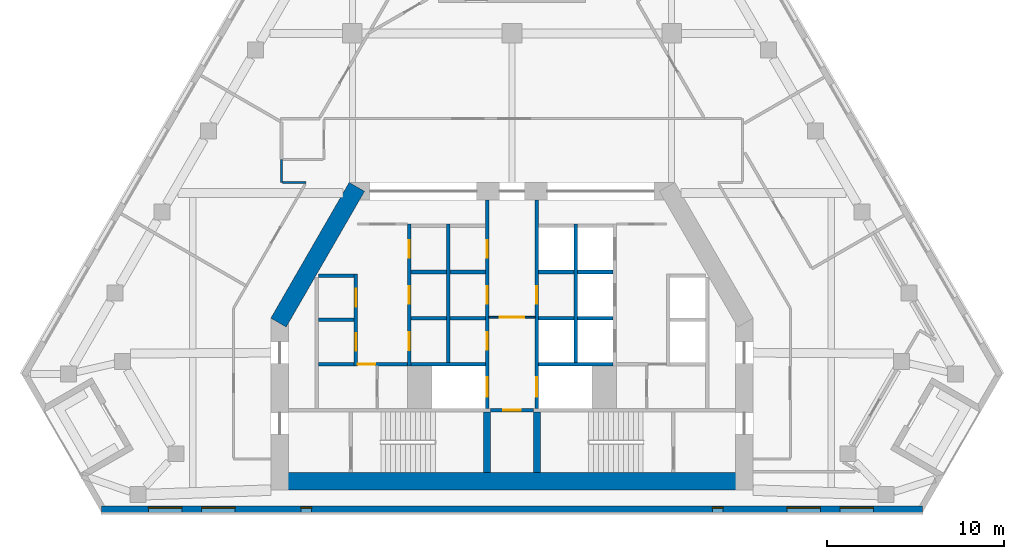
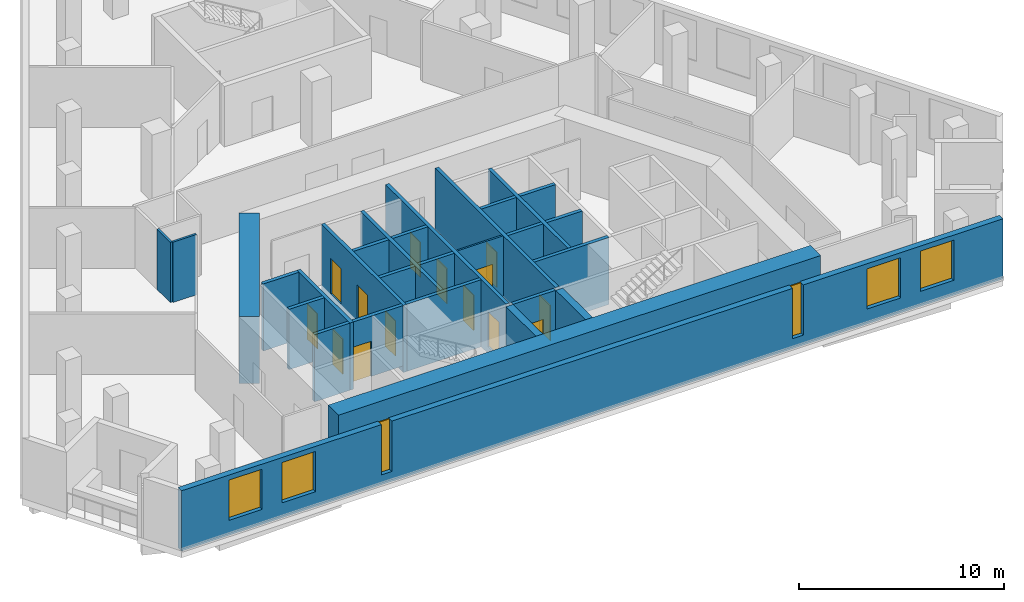
# One storey, part 4 of 9: 29 walls, 14 doors, 6 windows, 20 openings.
"""IFC4 building model written with IfcOpenShell, lengths in metres."""

from ifc_helpers import new_model, si_unit, direction, frame, frame_2d, origin, place, context, subcontext, project, spatial, rectangle, extrude, material, layer, layer_set, type_object, element, fill, save


model = new_model("IFC4")

# Units and contexts
model_context = context("Model", 3, precision=1e-05, world=origin(), true_north=direction((0.0, 1.0)))
body_context = subcontext(model_context, "Body", "Model", "MODEL_VIEW")
ifc_project = project(units=[si_unit("LENGTHUNIT", "METRE"), si_unit("AREAUNIT", "SQUARE_METRE"), si_unit("VOLUMEUNIT", "CUBIC_METRE"), si_unit("PLANEANGLEUNIT", "RADIAN"), si_unit("MASSUNIT", "GRAM", prefix="KILO")], contexts=[model_context])

# Site, building, storey
site_placement = place(None, origin())
site = spatial("IfcSite", under=ifc_project, at=site_placement, CompositionType="ELEMENT")
building_placement = place(site_placement, origin())
building = spatial("IfcBuilding", under=site, at=building_placement, Name="Fogline Exchange Tower", CompositionType="ELEMENT")
storey_placement = place(building_placement, frame((0.0, 0.0, 198.10009765625)))
storey = spatial("IfcBuildingStorey", under=building, at=storey_placement, Name="L44", CompositionType="ELEMENT", Elevation=198.10009765625)

# Wall, opening, door
ifc_material_1 = material(Name="Blockwork partition", Category="masonry")
ifc_layer_1 = layer(ifc_material_1, 0.10009765625)
ifc_layer_set_1 = layer_set([ifc_layer_1], Name="CW10")
wall_type_1 = type_object("IfcWallType", Name="CW10", PredefinedType="PARTITIONING", material=ifc_layer_set_1)
wall_1_placement = place(storey_placement, frame((-1.300048828125, 11.0, 0.0), z_axis=(0.0, 0.0, 1.0), x_axis=(1.0, 0.0, 0.0)))
wall_1 = element("IfcWall", 1, at=wall_1_placement, inside=storey, type_object=wall_type_1, Name="Lift lobby partition", PredefinedType="PARTITIONING", context=body_context, shape_type="SweptSolid", body=[
    extrude(rectangle(XDim=2.60009765625, YDim=0.10009765625, at=frame_2d((1.300048828125, 0.0))), origin(), (0.0, 0.0, 1.0), 3.599853515625),
])
opening_1_placement = place(wall_1_placement, frame((0.60009765625, 0.0, 0.0)))
opening_1 = element("IfcOpeningElement", 2, at=opening_1_placement, cuts=wall_1, Name="Opening T14-C023", PredefinedType="OPENING", context=body_context, shape_type="SweptSolid", body=[
    extrude(rectangle(XDim=1.39990234375, YDim=2.10009765625, at=frame_2d((0.699951171875, 1.050048828125))), frame((0.0, 0.06005859375, 0.0), z_axis=(0.0, -1.0, 0.0), x_axis=(1.0, 0.0, 0.0)), (0.0, 0.0, 1.0), 0.1201171875),
])
ifc_material_2 = material(Name="Steel and timber fire door", Category="steel")
door_type_1 = type_object("IfcDoorType", Name="D-LB1", OperationType="DOUBLE_DOOR_SINGLE_SWING", PredefinedType="DOOR", material=ifc_material_2)
door_1_placement = place(opening_1_placement, frame((1.39990234375, 0.0, 0.0), z_axis=(0.0, 0.0, 1.0), x_axis=(-1.0, 0.0, 0.0)))
door_1 = element("IfcDoor", 3, at=door_1_placement, inside=storey, type_object=door_type_1, Name="Door to firefighting lift lobby", OperationType="DOUBLE_DOOR_SINGLE_SWING", OverallHeight=2.10009765625, OverallWidth=1.39990234375, PredefinedType="DOOR", context=body_context, shape_type="SweptSolid", body=[
    extrude(rectangle(XDim=1.39990234375, YDim=2.10009765625, at=frame_2d((0.699951171875, 1.050048828125))), frame((0.0, 0.02490234375, 0.0), z_axis=(0.0, -1.0, 0.0), x_axis=(1.0, 0.0, 0.0)), (0.0, 0.0, 1.0), 0.050048828125),
])
fill(opening_1, door_1)

# Walls
ifc_material_3 = material(Name="Concrete C40", Category="concrete")
ifc_layer_2 = layer(ifc_material_3, 0.199951171875)
ifc_layer_set_2 = layer_set([ifc_layer_2], Name="CW20")
wall_type_2 = type_object("IfcWallType", Name="CW20", PredefinedType="SOLIDWALL", material=ifc_layer_set_2)
for number, where, z_axis, x_axis, name in (
    (4, (-10.89990234375, 10.85009765625, 0.0), (0.0, 0.0, 1.0), (1.0, 0.0, 0.0), "Service room wall"),
    (5, (-5.699951171875, 10.949951171875, 0.0), (0.0, 0.0, 1.0), (1.0, 0.0, 0.0), "Service room wall"),
    (6, (-5.699951171875, 13.550048828125, 0.0), (0.0, 0.0, 1.0), (1.0, 0.0, 0.0), "Service room wall"),
    (7, (-3.5, 10.949951171875, 0.0), (0.0, 0.0, 1.0), (1.0, 0.0, 0.0), "Service room wall"),
    (8, (-3.5, 13.550048828125, 0.0), (0.0, 0.0, 1.0), (1.0, 0.0, 0.0), "Service room wall"),
):
    element("IfcWall", number, at=place(storey_placement, frame(where, z_axis=z_axis, x_axis=x_axis)), inside=storey, type_object=wall_type_2, Name=name, PredefinedType="SOLIDWALL", context=body_context, shape_type="SweptSolid", body=[
        extrude(rectangle(XDim=2.0, YDim=0.199951171875, at=frame_2d((1.0, 0.0))), origin(), (0.0, 0.0, 1.0), 3.599853515625),
    ])

# Wall, opening, door
wall_2_placement = place(storey_placement, frame((-8.699951171875, 8.35009765625, 0.0), z_axis=(0.0, 0.0, 1.0), x_axis=(1.0, 0.0, 0.0)))
wall_2 = element("IfcWall", 9, at=wall_2_placement, inside=storey, type_object=wall_type_2, Name="WC wall", PredefinedType="SOLIDWALL", context=body_context, shape_type="SweptSolid", body=[
    extrude(rectangle(XDim=2.800048828125, YDim=0.199951171875, at=frame_2d((1.39990234375, 0.0))), origin(), (0.0, 0.0, 1.0), 3.599853515625),
])
opening_2_placement = place(wall_2_placement, origin())
opening_2 = element("IfcOpeningElement", 10, at=opening_2_placement, cuts=wall_2, Name="Opening T14-C012", PredefinedType="OPENING", context=body_context, shape_type="SweptSolid", body=[
    extrude(rectangle(XDim=1.0, YDim=2.10009765625, at=frame_2d((0.5, 1.050048828125))), frame((0.0, 0.10986328125, 0.0), z_axis=(0.0, -1.0, 0.0), x_axis=(1.0, 0.0, 0.0)), (0.0, 0.0, 1.0), 0.219970703125),
])
door_type_2 = type_object("IfcDoorType", Name="D-WC1", OperationType="SINGLE_SWING_LEFT", PredefinedType="DOOR", material=ifc_material_2)
door_2_placement = place(opening_2_placement, frame((1.0, 0.0, 0.0), z_axis=(0.0, 0.0, 1.0), x_axis=(-1.0, 0.0, 0.0)))
door_2 = element("IfcDoor", 11, at=door_2_placement, inside=storey, type_object=door_type_2, Name="Door to Men's WC", OperationType="SINGLE_SWING_LEFT", OverallHeight=2.10009765625, OverallWidth=1.0, PredefinedType="DOOR", context=body_context, shape_type="SweptSolid", body=[
    extrude(rectangle(XDim=1.0, YDim=2.10009765625, at=frame_2d((0.5, 1.050048828125))), frame((0.0, 0.02490234375, 0.0), z_axis=(0.0, -1.0, 0.0), x_axis=(1.0, 0.0, 0.0)), (0.0, 0.0, 1.0), 0.050048828125),
])
fill(opening_2, door_2)

ifc_layer_3 = layer(ifc_material_3, 0.199951171875)
ifc_layer_set_3 = layer_set([ifc_layer_3], Name="CW20R")
wall_type_3 = type_object("IfcWallType", Name="CW20R", PredefinedType="SOLIDWALL", material=ifc_layer_set_3)
wall_3_placement = place(storey_placement, frame((-1.199951171875, 5.75, -0.400146484375), z_axis=(0.0, 0.0, 1.0), x_axis=(1.0, 0.0, 0.0)))
wall_3 = element("IfcWall", 12, at=wall_3_placement, inside=storey, type_object=wall_type_3, Name="Stair enclosure wall", PredefinedType="SOLIDWALL", context=body_context, shape_type="SweptSolid", body=[
    extrude(rectangle(XDim=2.39990234375, YDim=0.199951171875, at=frame_2d((1.199951171875, 0.0))), origin(), (0.0, 0.0, 1.0), 4.0),
])
opening_3_placement = place(wall_3_placement, frame((0.699951171875, 0.0, 0.39990234375)))
opening_3 = element("IfcOpeningElement", 13, at=opening_3_placement, cuts=wall_3, Name="Opening T14-C010", PredefinedType="OPENING", context=body_context, shape_type="SweptSolid", body=[
    extrude(rectangle(XDim=1.0, YDim=2.10009765625, at=frame_2d((0.5, 1.050048828125))), frame((0.0, 0.10986328125, 0.0), z_axis=(0.0, -1.0, 0.0), x_axis=(1.0, 0.0, 0.0)), (0.0, 0.0, 1.0), 0.219970703125),
])
door_type_3 = type_object("IfcDoorType", Name="D-RM1", OperationType="SINGLE_SWING_LEFT", PredefinedType="DOOR", material=ifc_material_2)
door_3_placement = place(opening_3_placement, frame((1.0, 0.0, 0.0), z_axis=(0.0, 0.0, 1.0), x_axis=(-1.0, 0.0, 0.0)))
door_3 = element("IfcDoor", 14, at=door_3_placement, inside=storey, type_object=door_type_3, Name="Door to Library Store", OperationType="SINGLE_SWING_RIGHT", OverallHeight=2.10009765625, OverallWidth=1.0, PredefinedType="DOOR", context=body_context, shape_type="SweptSolid", body=[
    extrude(rectangle(XDim=1.0, YDim=2.10009765625, at=frame_2d((0.5, 1.050048828125))), frame((0.0, 0.02490234375, 0.0), z_axis=(0.0, -1.0, 0.0), x_axis=(1.0, 0.0, 0.0)), (0.0, 0.0, 1.0), 0.050048828125),
])
fill(opening_3, door_3)

# Wall, openings, doors
ifc_layer_4 = layer(ifc_material_3, 0.199951171875)
ifc_layer_set_4 = layer_set([ifc_layer_4], Name="CW20S")
wall_type_4 = type_object("IfcWallType", Name="CW20S", PredefinedType="SOLIDWALL", material=ifc_layer_set_4)
wall_4_placement = place(storey_placement, frame((-8.800048828125, 8.25, -0.400146484375), z_axis=(0.0, 0.0, 1.0), x_axis=(0.0, 1.0, 0.0)))
wall_4 = element("IfcWall", 15, at=wall_4_placement, inside=storey, type_object=wall_type_4, Name="Lift shaft wall", PredefinedType="SOLIDWALL", context=body_context, shape_type="SweptSolid", body=[
    extrude(rectangle(XDim=5.199951171875, YDim=0.199951171875, at=frame_2d((2.60009765625, 0.0))), origin(), (0.0, 0.0, 1.0), 4.0),
])
opening_4_placement = place(wall_4_placement, frame((0.85009765625, 0.0, 0.39990234375)))
opening_4 = element("IfcOpeningElement", 16, at=opening_4_placement, cuts=wall_4, Name="Opening T14-C001", PredefinedType="OPENING", context=body_context, shape_type="SweptSolid", body=[
    extrude(rectangle(XDim=1.0, YDim=2.10009765625, at=frame_2d((0.5, 1.050048828125))), frame((0.0, 0.10986328125, 0.0), z_axis=(0.0, -1.0, 0.0), x_axis=(1.0, 0.0, 0.0)), (0.0, 0.0, 1.0), 0.219970703125),
])
opening_5_placement = place(wall_4_placement, frame((3.35009765625, 0.0, 0.39990234375)))
opening_5 = element("IfcOpeningElement", 17, at=opening_5_placement, cuts=wall_4, Name="Opening T14-C002", PredefinedType="OPENING", context=body_context, shape_type="SweptSolid", body=[
    extrude(rectangle(XDim=1.0, YDim=2.10009765625, at=frame_2d((0.5, 1.050048828125))), frame((0.0, 0.10986328125, 0.0), z_axis=(0.0, -1.0, 0.0), x_axis=(1.0, 0.0, 0.0)), (0.0, 0.0, 1.0), 0.219970703125),
])
door_4_placement = place(opening_4_placement, origin())
door_4 = element("IfcDoor", 18, at=door_4_placement, inside=storey, type_object=door_type_3, Name="Door to Riser Room", OperationType="SINGLE_SWING_RIGHT", OverallHeight=2.10009765625, OverallWidth=1.0, PredefinedType="DOOR", context=body_context, shape_type="SweptSolid", body=[
    extrude(rectangle(XDim=1.0, YDim=2.10009765625, at=frame_2d((0.5, 1.050048828125))), frame((0.0, 0.02490234375, 0.0), z_axis=(0.0, -1.0, 0.0), x_axis=(1.0, 0.0, 0.0)), (0.0, 0.0, 1.0), 0.050048828125),
])
fill(opening_4, door_4)
door_5_placement = place(opening_5_placement, origin())
door_5 = element("IfcDoor", 19, at=door_5_placement, inside=storey, type_object=door_type_3, Name="Door to Plant Room", OperationType="SINGLE_SWING_RIGHT", OverallHeight=2.10009765625, OverallWidth=1.0, PredefinedType="DOOR", context=body_context, shape_type="SweptSolid", body=[
    extrude(rectangle(XDim=1.0, YDim=2.10009765625, at=frame_2d((0.5, 1.050048828125))), frame((0.0, 0.02490234375, 0.0), z_axis=(0.0, -1.0, 0.0), x_axis=(1.0, 0.0, 0.0)), (0.0, 0.0, 1.0), 0.050048828125),
])
fill(opening_5, door_5)

wall_5_placement = place(storey_placement, frame((-5.800048828125, 8.25, -0.400146484375), z_axis=(0.0, 0.0, 1.0), x_axis=(0.0, 1.0, 0.0)))
wall_5 = element("IfcWall", 20, at=wall_5_placement, inside=storey, type_object=wall_type_4, Name="Lift shaft wall", PredefinedType="SOLIDWALL", context=body_context, shape_type="SweptSolid", body=[
    extrude(rectangle(XDim=8.0, YDim=0.199951171875, at=frame_2d((4.0, 0.0))), origin(), (0.0, 0.0, 1.0), 4.0),
])
opening_6_placement = place(wall_5_placement, frame((0.89990234375, 0.0, 0.39990234375)))
opening_6 = element("IfcOpeningElement", 21, at=opening_6_placement, cuts=wall_5, Name="Opening T14-C003", PredefinedType="OPENING", context=body_context, shape_type="SweptSolid", body=[
    extrude(rectangle(XDim=1.0, YDim=2.10009765625, at=frame_2d((0.5, 1.050048828125))), frame((0.0, 0.10986328125, 0.0), z_axis=(0.0, -1.0, 0.0), x_axis=(1.0, 0.0, 0.0)), (0.0, 0.0, 1.0), 0.219970703125),
])
opening_7_placement = place(wall_5_placement, frame((3.5, 0.0, 0.39990234375)))
opening_7 = element("IfcOpeningElement", 22, at=opening_7_placement, cuts=wall_5, Name="Opening T14-C004", PredefinedType="OPENING", context=body_context, shape_type="SweptSolid", body=[
    extrude(rectangle(XDim=1.0, YDim=2.10009765625, at=frame_2d((0.5, 1.050048828125))), frame((0.0, 0.10986328125, 0.0), z_axis=(0.0, -1.0, 0.0), x_axis=(1.0, 0.0, 0.0)), (0.0, 0.0, 1.0), 0.219970703125),
])
opening_8_placement = place(wall_5_placement, frame((6.10009765625, 0.0, 0.39990234375)))
opening_8 = element("IfcOpeningElement", 23, at=opening_8_placement, cuts=wall_5, Name="Opening T14-C005", PredefinedType="OPENING", context=body_context, shape_type="SweptSolid", body=[
    extrude(rectangle(XDim=1.0, YDim=2.10009765625, at=frame_2d((0.5, 1.050048828125))), frame((0.0, 0.10986328125, 0.0), z_axis=(0.0, -1.0, 0.0), x_axis=(1.0, 0.0, 0.0)), (0.0, 0.0, 1.0), 0.219970703125),
])
door_6_placement = place(opening_6_placement, frame((1.0, 0.0, 0.0), z_axis=(0.0, 0.0, 1.0), x_axis=(-1.0, 0.0, 0.0)))
door_6 = element("IfcDoor", 24, at=door_6_placement, inside=storey, type_object=door_type_3, Name="Door to Cable Store", OperationType="SINGLE_SWING_LEFT", OverallHeight=2.10009765625, OverallWidth=1.0, PredefinedType="DOOR", context=body_context, shape_type="SweptSolid", body=[
    extrude(rectangle(XDim=1.0, YDim=2.10009765625, at=frame_2d((0.5, 1.050048828125))), frame((0.0, 0.02490234375, 0.0), z_axis=(0.0, -1.0, 0.0), x_axis=(1.0, 0.0, 0.0)), (0.0, 0.0, 1.0), 0.050048828125),
])
fill(opening_6, door_6)
door_7_placement = place(opening_7_placement, frame((1.0, 0.0, 0.0), z_axis=(0.0, 0.0, 1.0), x_axis=(-1.0, 0.0, 0.0)))
door_7 = element("IfcDoor", 25, at=door_7_placement, inside=storey, type_object=door_type_3, Name="Door to Server Room", OperationType="SINGLE_SWING_RIGHT", OverallHeight=2.10009765625, OverallWidth=1.0, PredefinedType="DOOR", context=body_context, shape_type="SweptSolid", body=[
    extrude(rectangle(XDim=1.0, YDim=2.10009765625, at=frame_2d((0.5, 1.050048828125))), frame((0.0, 0.02490234375, 0.0), z_axis=(0.0, -1.0, 0.0), x_axis=(1.0, 0.0, 0.0)), (0.0, 0.0, 1.0), 0.050048828125),
])
fill(opening_7, door_7)
door_8_placement = place(opening_8_placement, frame((1.0, 0.0, 0.0), z_axis=(0.0, 0.0, 1.0), x_axis=(-1.0, 0.0, 0.0)))
door_8 = element("IfcDoor", 26, at=door_8_placement, inside=storey, type_object=door_type_3, Name="Door to Archive Store", OperationType="SINGLE_SWING_RIGHT", OverallHeight=2.10009765625, OverallWidth=1.0, PredefinedType="DOOR", context=body_context, shape_type="SweptSolid", body=[
    extrude(rectangle(XDim=1.0, YDim=2.10009765625, at=frame_2d((0.5, 1.050048828125))), frame((0.0, 0.02490234375, 0.0), z_axis=(0.0, -1.0, 0.0), x_axis=(1.0, 0.0, 0.0)), (0.0, 0.0, 1.0), 0.050048828125),
])
fill(opening_8, door_8)

# Walls
for number, where, z_axis, x_axis, name in (
    (27, (-3.60009765625, 8.449951171875, -0.400146484375), (0.0, 0.0, 1.0), (0.0, 1.0, 0.0), "Lift shaft wall"),
    (28, (3.60009765625, 8.449951171875, -0.400146484375), (0.0, 0.0, 1.0), (0.0, 1.0, 0.0), "Lift shaft wall"),
):
    element("IfcWall", number, at=place(storey_placement, frame(where, z_axis=z_axis, x_axis=x_axis)), inside=storey, type_object=wall_type_4, Name=name, PredefinedType="SOLIDWALL", context=body_context, shape_type="SweptSolid", body=[
        extrude(rectangle(XDim=7.800048828125, YDim=0.199951171875, at=frame_2d((3.89990234375, 0.0))), origin(), (0.0, 0.0, 1.0), 4.0),
    ])

# Wall, openings, doors
wall_6_placement = place(storey_placement, frame((-1.39990234375, 5.85009765625, -0.400146484375), z_axis=(0.0, 0.0, 1.0), x_axis=(0.0, 1.0, 0.0)))
wall_6 = element("IfcWall", 29, at=wall_6_placement, inside=storey, type_object=wall_type_4, Name="Lift lobby wall", PredefinedType="SOLIDWALL", context=body_context, shape_type="SweptSolid", body=[
    extrude(rectangle(XDim=11.75, YDim=0.199951171875, at=frame_2d((5.875, 0.0))), origin(), (0.0, 0.0, 1.0), 4.0),
])
opening_9_placement = place(wall_6_placement, frame((0.64990234375, 0.0, 0.39990234375)))
opening_9 = element("IfcOpeningElement", 30, at=opening_9_placement, cuts=wall_6, Name="Opening T14-LD01", PredefinedType="OPENING", context=body_context, shape_type="SweptSolid", body=[
    extrude(rectangle(XDim=1.10009765625, YDim=2.10009765625, at=frame_2d((0.550048828125, 1.050048828125))), frame((0.0, 0.10986328125, 0.0), z_axis=(0.0, -1.0, 0.0), x_axis=(1.0, 0.0, 0.0)), (0.0, 0.0, 1.0), 0.219970703125),
])
opening_10_placement = place(wall_6_placement, frame((3.300048828125, 0.0, 0.39990234375)))
opening_10 = element("IfcOpeningElement", 31, at=opening_10_placement, cuts=wall_6, Name="Opening T14-C006", PredefinedType="OPENING", context=body_context, shape_type="SweptSolid", body=[
    extrude(rectangle(XDim=1.0, YDim=2.10009765625, at=frame_2d((0.5, 1.050048828125))), frame((0.0, 0.10986328125, 0.0), z_axis=(0.0, -1.0, 0.0), x_axis=(1.0, 0.0, 0.0)), (0.0, 0.0, 1.0), 0.219970703125),
])
opening_11_placement = place(wall_6_placement, frame((5.89990234375, 0.0, 0.39990234375)))
opening_11 = element("IfcOpeningElement", 32, at=opening_11_placement, cuts=wall_6, Name="Opening T14-C007", PredefinedType="OPENING", context=body_context, shape_type="SweptSolid", body=[
    extrude(rectangle(XDim=1.0, YDim=2.10009765625, at=frame_2d((0.5, 1.050048828125))), frame((0.0, 0.10986328125, 0.0), z_axis=(0.0, -1.0, 0.0), x_axis=(1.0, 0.0, 0.0)), (0.0, 0.0, 1.0), 0.219970703125),
])
opening_12_placement = place(wall_6_placement, frame((8.5, 0.0, 0.39990234375)))
opening_12 = element("IfcOpeningElement", 33, at=opening_12_placement, cuts=wall_6, Name="Opening T14-C008", PredefinedType="OPENING", context=body_context, shape_type="SweptSolid", body=[
    extrude(rectangle(XDim=1.0, YDim=2.10009765625, at=frame_2d((0.5, 1.050048828125))), frame((0.0, 0.10986328125, 0.0), z_axis=(0.0, -1.0, 0.0), x_axis=(1.0, 0.0, 0.0)), (0.0, 0.0, 1.0), 0.219970703125),
])
door_9_placement = place(opening_10_placement, origin())
door_9 = element("IfcDoor", 34, at=door_9_placement, inside=storey, type_object=door_type_3, Name="Door to Library Store", OperationType="SINGLE_SWING_LEFT", OverallHeight=2.10009765625, OverallWidth=1.0, PredefinedType="DOOR", context=body_context, shape_type="SweptSolid", body=[
    extrude(rectangle(XDim=1.0, YDim=2.10009765625, at=frame_2d((0.5, 1.050048828125))), frame((0.0, 0.02490234375, 0.0), z_axis=(0.0, -1.0, 0.0), x_axis=(1.0, 0.0, 0.0)), (0.0, 0.0, 1.0), 0.050048828125),
])
fill(opening_10, door_9)
door_10_placement = place(opening_11_placement, origin())
door_10 = element("IfcDoor", 35, at=door_10_placement, inside=storey, type_object=door_type_3, Name="Door to Stationery Store", OperationType="SINGLE_SWING_LEFT", OverallHeight=2.10009765625, OverallWidth=1.0, PredefinedType="DOOR", context=body_context, shape_type="SweptSolid", body=[
    extrude(rectangle(XDim=1.0, YDim=2.10009765625, at=frame_2d((0.5, 1.050048828125))), frame((0.0, 0.02490234375, 0.0), z_axis=(0.0, -1.0, 0.0), x_axis=(1.0, 0.0, 0.0)), (0.0, 0.0, 1.0), 0.050048828125),
])
fill(opening_11, door_10)
door_11_placement = place(opening_12_placement, origin())
door_11 = element("IfcDoor", 36, at=door_11_placement, inside=storey, type_object=door_type_3, Name="Door to Records Store", OperationType="SINGLE_SWING_LEFT", OverallHeight=2.10009765625, OverallWidth=1.0, PredefinedType="DOOR", context=body_context, shape_type="SweptSolid", body=[
    extrude(rectangle(XDim=1.0, YDim=2.10009765625, at=frame_2d((0.5, 1.050048828125))), frame((0.0, 0.02490234375, 0.0), z_axis=(0.0, -1.0, 0.0), x_axis=(1.0, 0.0, 0.0)), (0.0, 0.0, 1.0), 0.050048828125),
])
fill(opening_12, door_11)
door_type_4 = type_object("IfcDoorType", Name="LD2", OperationType="SLIDING_TO_RIGHT", PredefinedType="DOOR", material=ifc_material_2)
door_12_placement = place(opening_9_placement, origin())
door_12 = element("IfcDoor", 37, at=door_12_placement, inside=storey, type_object=door_type_4, Name="Landing door FF1", OperationType="SLIDING_TO_RIGHT", OverallHeight=2.10009765625, OverallWidth=1.10009765625, PredefinedType="DOOR", context=body_context, shape_type="SweptSolid", body=[
    extrude(rectangle(XDim=1.10009765625, YDim=2.10009765625, at=frame_2d((0.550048828125, 1.050048828125))), frame((0.0, 0.02490234375, 0.0), z_axis=(0.0, -1.0, 0.0), x_axis=(1.0, 0.0, 0.0)), (0.0, 0.0, 1.0), 0.050048828125),
])
fill(opening_9, door_12)

wall_7_placement = place(storey_placement, frame((1.39990234375, 5.85009765625, -0.400146484375), z_axis=(0.0, 0.0, 1.0), x_axis=(0.0, 1.0, 0.0)))
wall_7 = element("IfcWall", 38, at=wall_7_placement, inside=storey, type_object=wall_type_4, Name="Lift lobby wall", PredefinedType="SOLIDWALL", context=body_context, shape_type="SweptSolid", body=[
    extrude(rectangle(XDim=11.75, YDim=0.199951171875, at=frame_2d((5.875, 0.0))), origin(), (0.0, 0.0, 1.0), 4.0),
])
opening_13_placement = place(wall_7_placement, frame((0.64990234375, 0.0, 0.39990234375)))
opening_13 = element("IfcOpeningElement", 39, at=opening_13_placement, cuts=wall_7, Name="Opening T14-LD05", PredefinedType="OPENING", context=body_context, shape_type="SweptSolid", body=[
    extrude(rectangle(XDim=1.10009765625, YDim=2.10009765625, at=frame_2d((0.550048828125, 1.050048828125))), frame((0.0, 0.10986328125, 0.0), z_axis=(0.0, -1.0, 0.0), x_axis=(1.0, 0.0, 0.0)), (0.0, 0.0, 1.0), 0.219970703125),
])
opening_14_placement = place(wall_7_placement, frame((5.89990234375, 0.0, 0.39990234375)))
opening_14 = element("IfcOpeningElement", 40, at=opening_14_placement, cuts=wall_7, Name="Opening T14-C009", PredefinedType="OPENING", context=body_context, shape_type="SweptSolid", body=[
    extrude(rectangle(XDim=1.0, YDim=2.10009765625, at=frame_2d((0.5, 1.050048828125))), frame((0.0, 0.10986328125, 0.0), z_axis=(0.0, -1.0, 0.0), x_axis=(1.0, 0.0, 0.0)), (0.0, 0.0, 1.0), 0.219970703125),
])
door_13_placement = place(opening_14_placement, frame((1.0, 0.0, 0.0), z_axis=(0.0, 0.0, 1.0), x_axis=(-1.0, 0.0, 0.0)))
door_13 = element("IfcDoor", 41, at=door_13_placement, inside=storey, type_object=door_type_3, Name="Door to Server Room", OperationType="SINGLE_SWING_RIGHT", OverallHeight=2.10009765625, OverallWidth=1.0, PredefinedType="DOOR", context=body_context, shape_type="SweptSolid", body=[
    extrude(rectangle(XDim=1.0, YDim=2.10009765625, at=frame_2d((0.5, 1.050048828125))), frame((0.0, 0.02490234375, 0.0), z_axis=(0.0, -1.0, 0.0), x_axis=(1.0, 0.0, 0.0)), (0.0, 0.0, 1.0), 0.050048828125),
])
fill(opening_14, door_13)
door_14_placement = place(opening_13_placement, origin())
door_14 = element("IfcDoor", 42, at=door_14_placement, inside=storey, type_object=door_type_4, Name="Landing door FF2", OperationType="SLIDING_TO_RIGHT", OverallHeight=2.10009765625, OverallWidth=1.10009765625, PredefinedType="DOOR", context=body_context, shape_type="SweptSolid", body=[
    extrude(rectangle(XDim=1.10009765625, YDim=2.10009765625, at=frame_2d((0.550048828125, 1.050048828125))), frame((0.0, 0.02490234375, 0.0), z_axis=(0.0, -1.0, 0.0), x_axis=(1.0, 0.0, 0.0)), (0.0, 0.0, 1.0), 0.050048828125),
])
fill(opening_13, door_14)

# Walls
wall_8_placement = place(storey_placement, frame((-10.89990234375, 8.35009765625, -0.400146484375), z_axis=(0.0, 0.0, 1.0), x_axis=(1.0, 0.0, 0.0)))
element("IfcWall", 43, at=wall_8_placement, inside=storey, type_object=wall_type_4, Name="Lift shaft wall", PredefinedType="SOLIDWALL", context=body_context, shape_type="SweptSolid", body=[
    extrude(rectangle(XDim=2.0, YDim=0.199951171875, at=frame_2d((1.0, 0.0))), origin(), (0.0, 0.0, 1.0), 4.0),
])
for number, where, z_axis, x_axis, name in (
    (44, (-5.699951171875, 8.35009765625, -0.400146484375), (0.0, 0.0, 1.0), (1.0, 0.0, 0.0), "Lift shaft wall"),
    (45, (1.5, 8.35009765625, -0.400146484375), (0.0, 0.0, 1.0), (1.0, 0.0, 0.0), "Lift shaft wall"),
):
    element("IfcWall", number, at=place(storey_placement, frame(where, z_axis=z_axis, x_axis=x_axis)), inside=storey, type_object=wall_type_4, Name=name, PredefinedType="SOLIDWALL", context=body_context, shape_type="SweptSolid", body=[
        extrude(rectangle(XDim=4.199951171875, YDim=0.199951171875, at=frame_2d((2.10009765625, 0.0))), origin(), (0.0, 0.0, 1.0), 4.0),
    ])
for number, where, z_axis, x_axis, name in (
    (46, (-10.89990234375, 13.35009765625, -0.400146484375), (0.0, 0.0, 1.0), (1.0, 0.0, 0.0), "Lift shaft wall"),
    (47, (3.699951171875, 10.949951171875, -0.400146484375), (0.0, 0.0, 1.0), (1.0, 0.0, 0.0), "Lift shaft wall"),
    (48, (3.699951171875, 13.550048828125, -0.400146484375), (0.0, 0.0, 1.0), (1.0, 0.0, 0.0), "Lift shaft wall"),
    (49, (1.5, 10.949951171875, -0.400146484375), (0.0, 0.0, 1.0), (1.0, 0.0, 0.0), "Lift shaft wall"),
    (50, (1.5, 13.550048828125, -0.400146484375), (0.0, 0.0, 1.0), (1.0, 0.0, 0.0), "Lift shaft wall"),
):
    element("IfcWall", number, at=place(storey_placement, frame(where, z_axis=z_axis, x_axis=x_axis)), inside=storey, type_object=wall_type_4, Name=name, PredefinedType="SOLIDWALL", context=body_context, shape_type="SweptSolid", body=[
        extrude(rectangle(XDim=2.0, YDim=0.199951171875, at=frame_2d((1.0, 0.0))), origin(), (0.0, 0.0, 1.0), 4.0),
    ])
ifc_layer_5 = layer(ifc_material_3, 0.39990234375)
ifc_layer_set_5 = layer_set([ifc_layer_5], Name="CW40R")
wall_type_5 = type_object("IfcWallType", Name="CW40R", PredefinedType="SOLIDWALL", material=ifc_layer_set_5)
for number, where, z_axis, x_axis, name in (
    (51, (-1.39990234375, 2.25, -0.400146484375), (0.0, 0.0, 1.0), (0.0, 1.0, 0.0), "Stair and lift shaft wall"),
    (52, (1.39990234375, 2.25, -0.400146484375), (0.0, 0.0, 1.0), (0.0, 1.0, 0.0), "Stair and lift shaft wall"),
):
    element("IfcWall", number, at=place(storey_placement, frame(where, z_axis=z_axis, x_axis=x_axis)), inside=storey, type_object=wall_type_5, Name=name, PredefinedType="SOLIDWALL", context=body_context, shape_type="SweptSolid", body=[
        extrude(rectangle(XDim=3.39990234375, YDim=0.39990234375, at=frame_2d((1.699951171875, 0.0))), origin(), (0.0, 0.0, 1.0), 4.0),
    ])

# Wall, openings, windows
ifc_material_4 = material(Name="Brick masonry", Category="masonry")
ifc_layer_6 = layer(ifc_material_4, 0.340087890625)
ifc_layer_set_6 = layer_set([ifc_layer_6], Name="FW1")
wall_type_6 = type_object("IfcWallType", Name="FW1", PredefinedType="SOLIDWALL", material=ifc_layer_set_6)
wall_9_placement = place(storey_placement, frame((-23.158935546875, 0.169921875, 0.0), z_axis=(0.0, 0.0, 1.0), x_axis=(1.0, 0.0, 0.0)))
wall_9 = element("IfcWall", 53, at=wall_9_placement, inside=storey, type_object=wall_type_6, Name="Brick wall L44 S", PredefinedType="SOLIDWALL", context=body_context, shape_type="SweptSolid", body=[
    extrude(rectangle(XDim=46.31787109375, YDim=0.340087890625, at=frame_2d((23.158935546875, 0.0))), origin(), (0.0, 0.0, 1.0), 3.599853515625),
])
opening_15_placement = place(wall_9_placement, frame((2.658935546875, 0.0, 0.89990234375)))
opening_15 = element("IfcOpeningElement", 54, at=opening_15_placement, cuts=wall_9, Name="Opening W1", PredefinedType="OPENING", context=body_context, shape_type="SweptSolid", body=[
    extrude(rectangle(XDim=1.885009765625, YDim=2.39990234375, at=frame_2d((0.9423828125, 1.199951171875))), frame((0.0, 0.18017578125, 0.0), z_axis=(0.0, -1.0, 0.0), x_axis=(1.0, 0.0, 0.0)), (0.0, 0.0, 1.0), 0.360107421875),
])
opening_16_placement = place(wall_9_placement, frame((5.658935546875, 0.0, 0.89990234375)))
opening_16 = element("IfcOpeningElement", 55, at=opening_16_placement, cuts=wall_9, Name="Opening W1", PredefinedType="OPENING", context=body_context, shape_type="SweptSolid", body=[
    extrude(rectangle(XDim=1.885009765625, YDim=2.39990234375, at=frame_2d((0.9423828125, 1.199951171875))), frame((0.0, 0.18017578125, 0.0), z_axis=(0.0, -1.0, 0.0), x_axis=(1.0, 0.0, 0.0)), (0.0, 0.0, 1.0), 0.360107421875),
])
opening_17_placement = place(wall_9_placement, frame((38.658935546875, 0.0, 0.89990234375)))
opening_17 = element("IfcOpeningElement", 56, at=opening_17_placement, cuts=wall_9, Name="Opening W1", PredefinedType="OPENING", context=body_context, shape_type="SweptSolid", body=[
    extrude(rectangle(XDim=1.885009765625, YDim=2.39990234375, at=frame_2d((0.9423828125, 1.199951171875))), frame((0.0, 0.18017578125, 0.0), z_axis=(0.0, -1.0, 0.0), x_axis=(1.0, 0.0, 0.0)), (0.0, 0.0, 1.0), 0.360107421875),
])
opening_18_placement = place(wall_9_placement, frame((41.658935546875, 0.0, 0.89990234375)))
opening_18 = element("IfcOpeningElement", 57, at=opening_18_placement, cuts=wall_9, Name="Opening W1", PredefinedType="OPENING", context=body_context, shape_type="SweptSolid", body=[
    extrude(rectangle(XDim=1.885009765625, YDim=2.39990234375, at=frame_2d((0.9423828125, 1.199951171875))), frame((0.0, 0.18017578125, 0.0), z_axis=(0.0, -1.0, 0.0), x_axis=(1.0, 0.0, 0.0)), (0.0, 0.0, 1.0), 0.360107421875),
])
opening_19_placement = place(wall_9_placement, frame((11.259033203125, 0.0, 0.60009765625)))
opening_19 = element("IfcOpeningElement", 58, at=opening_19_placement, cuts=wall_9, Name="Opening W5", PredefinedType="OPENING", context=body_context, shape_type="SweptSolid", body=[
    extrude(rectangle(XDim=0.60009765625, YDim=3.0, at=frame_2d((0.300048828125, 1.5))), frame((0.0, 0.18017578125, 0.0), z_axis=(0.0, -1.0, 0.0), x_axis=(1.0, 0.0, 0.0)), (0.0, 0.0, 1.0), 0.360107421875),
])
opening_20_placement = place(wall_9_placement, frame((34.458984375, 0.0, 0.60009765625)))
opening_20 = element("IfcOpeningElement", 59, at=opening_20_placement, cuts=wall_9, Name="Opening W5", PredefinedType="OPENING", context=body_context, shape_type="SweptSolid", body=[
    extrude(rectangle(XDim=0.60009765625, YDim=3.0, at=frame_2d((0.300048828125, 1.5))), frame((0.0, 0.18017578125, 0.0), z_axis=(0.0, -1.0, 0.0), x_axis=(1.0, 0.0, 0.0)), (0.0, 0.0, 1.0), 0.360107421875),
])
ifc_material_5 = material(Name="Aluminium and glass", Category="aluminium")
window_type_1 = type_object("IfcWindowType", Name="W1", PartitioningType="SINGLE_PANEL", PredefinedType="WINDOW", material=ifc_material_5)
window_1_placement = place(opening_15_placement, origin())
window_1 = element("IfcWindow", 60, at=window_1_placement, inside=storey, type_object=window_type_1, Name="W1 W1", OverallHeight=2.39990234375, OverallWidth=1.885009765625, PartitioningType="SINGLE_PANEL", PredefinedType="WINDOW", context=body_context, shape_type="SweptSolid", body=[
    extrude(rectangle(XDim=1.885009765625, YDim=2.39990234375, at=frame_2d((0.9423828125, 1.199951171875))), frame((0.0, 0.110107421875, 0.0), z_axis=(0.0, -1.0, 0.0), x_axis=(1.0, 0.0, 0.0)), (0.0, 0.0, 1.0), 0.06005859375),
])
fill(opening_15, window_1)
window_2_placement = place(opening_16_placement, origin())
window_2 = element("IfcWindow", 61, at=window_2_placement, inside=storey, type_object=window_type_1, Name="W1 W1", OverallHeight=2.39990234375, OverallWidth=1.885009765625, PartitioningType="SINGLE_PANEL", PredefinedType="WINDOW", context=body_context, shape_type="SweptSolid", body=[
    extrude(rectangle(XDim=1.885009765625, YDim=2.39990234375, at=frame_2d((0.9423828125, 1.199951171875))), frame((0.0, 0.110107421875, 0.0), z_axis=(0.0, -1.0, 0.0), x_axis=(1.0, 0.0, 0.0)), (0.0, 0.0, 1.0), 0.06005859375),
])
fill(opening_16, window_2)
window_3_placement = place(opening_17_placement, origin())
window_3 = element("IfcWindow", 62, at=window_3_placement, inside=storey, type_object=window_type_1, Name="W1 W1", OverallHeight=2.39990234375, OverallWidth=1.885009765625, PartitioningType="SINGLE_PANEL", PredefinedType="WINDOW", context=body_context, shape_type="SweptSolid", body=[
    extrude(rectangle(XDim=1.885009765625, YDim=2.39990234375, at=frame_2d((0.9423828125, 1.199951171875))), frame((0.0, 0.110107421875, 0.0), z_axis=(0.0, -1.0, 0.0), x_axis=(1.0, 0.0, 0.0)), (0.0, 0.0, 1.0), 0.06005859375),
])
fill(opening_17, window_3)
window_4_placement = place(opening_18_placement, origin())
window_4 = element("IfcWindow", 63, at=window_4_placement, inside=storey, type_object=window_type_1, Name="W1 W1", OverallHeight=2.39990234375, OverallWidth=1.885009765625, PartitioningType="SINGLE_PANEL", PredefinedType="WINDOW", context=body_context, shape_type="SweptSolid", body=[
    extrude(rectangle(XDim=1.885009765625, YDim=2.39990234375, at=frame_2d((0.9423828125, 1.199951171875))), frame((0.0, 0.110107421875, 0.0), z_axis=(0.0, -1.0, 0.0), x_axis=(1.0, 0.0, 0.0)), (0.0, 0.0, 1.0), 0.06005859375),
])
fill(opening_18, window_4)
window_type_2 = type_object("IfcWindowType", Name="W5", PartitioningType="SINGLE_PANEL", PredefinedType="WINDOW", material=ifc_material_5)
window_5_placement = place(opening_19_placement, origin())
window_5 = element("IfcWindow", 64, at=window_5_placement, inside=storey, type_object=window_type_2, Name="W5 W5", OverallHeight=3.0, OverallWidth=0.60009765625, PartitioningType="SINGLE_PANEL", PredefinedType="WINDOW", context=body_context, shape_type="SweptSolid", body=[
    extrude(rectangle(XDim=0.60009765625, YDim=3.0, at=frame_2d((0.300048828125, 1.5))), frame((0.0, 0.110107421875, 0.0), z_axis=(0.0, -1.0, 0.0), x_axis=(1.0, 0.0, 0.0)), (0.0, 0.0, 1.0), 0.06005859375),
])
fill(opening_19, window_5)
window_6_placement = place(opening_20_placement, origin())
window_6 = element("IfcWindow", 65, at=window_6_placement, inside=storey, type_object=window_type_2, Name="W5 W5", OverallHeight=3.0, OverallWidth=0.60009765625, PartitioningType="SINGLE_PANEL", PredefinedType="WINDOW", context=body_context, shape_type="SweptSolid", body=[
    extrude(rectangle(XDim=0.60009765625, YDim=3.0, at=frame_2d((0.300048828125, 1.5))), frame((0.0, 0.110107421875, 0.0), z_axis=(0.0, -1.0, 0.0), x_axis=(1.0, 0.0, 0.0)), (0.0, 0.0, 1.0), 0.06005859375),
])
fill(opening_20, window_6)

# Walls
ifc_material_6 = material(Name="Plasterboard corridor partition with mineral wool, 2 layers each side")
ifc_layer_7 = layer(ifc_material_6, 0.125)
ifc_layer_set_7 = layer_set([ifc_layer_7], Name="PW2")
wall_type_7 = type_object("IfcWallType", Name="PW2", PredefinedType="PARTITIONING", material=ifc_layer_set_7)
wall_10_placement = place(storey_placement, frame((-11.60546875, 18.60009765625, 0.0), z_axis=(0.0, 0.0, 1.0), x_axis=(-1.0, 0.0, 0.0)))
element("IfcWall", 66, at=wall_10_placement, inside=storey, type_object=wall_type_7, Name="wall-L44-W010", PredefinedType="PARTITIONING", context=body_context, shape_type="SweptSolid", body=[
    extrude(rectangle(XDim=1.33203125, YDim=0.125, at=frame_2d((0.666015625, 0.0))), origin(), (0.0, 0.0, 1.0), 3.599853515625),
])
wall_11_placement = place(storey_placement, frame((-13.0, 18.60009765625, 0.0), z_axis=(0.0, 0.0, 1.0), x_axis=(0.0, 1.0, 0.0)))
element("IfcWall", 67, at=wall_11_placement, inside=storey, type_object=wall_type_7, Name="wall-L44-W011", PredefinedType="PARTITIONING", context=body_context, shape_type="SweptSolid", body=[
    extrude(rectangle(XDim=1.2998046875, YDim=0.125, at=frame_2d((0.64990234375, 0.0))), origin(), (0.0, 0.0, 1.0), 3.599853515625),
])
ifc_material_7 = material(Name="Concrete C60", Category="concrete")
ifc_layer_8 = layer(ifc_material_7, 1.0)
ifc_layer_set_8 = layer_set([ifc_layer_8], Name="SW03")
wall_type_8 = type_object("IfcWallType", Name="SW03", PredefinedType="SHEAR", material=ifc_layer_set_8)
wall_12_placement = place(storey_placement, frame((-13.60009765625, 1.75, 0.0), z_axis=(0.0, 0.0, 1.0), x_axis=(1.0, 0.0, 0.0)))
element("IfcWall", 68, at=wall_12_placement, inside=storey, type_object=wall_type_8, Name="L44-W901", PredefinedType="SHEAR", context=body_context, shape_type="SweptSolid", body=[
    extrude(rectangle(XDim=27.2001953125, YDim=1.0, at=frame_2d((13.60009765625, 0.0))), origin(), (0.0, 0.0, 1.0), 4.0),
])
wall_13_placement = place(storey_placement, frame((-8.74755859375, 18.35009765625, 0.0), z_axis=(0.0, 0.0, 1.0), x_axis=(-0.499995021168, -0.866028278295, 0.0)))
element("IfcWall", 69, at=wall_13_placement, inside=storey, type_object=wall_type_8, Name="L44-W905", PredefinedType="SHEAR", context=body_context, shape_type="SweptSolid", body=[
    extrude(rectangle(XDim=8.8388671875, YDim=1.0, at=frame_2d((4.41943359375, 0.0))), origin(), (0.0, 0.0, 1.0), 4.0),
])

save(model, "model.ifc")
